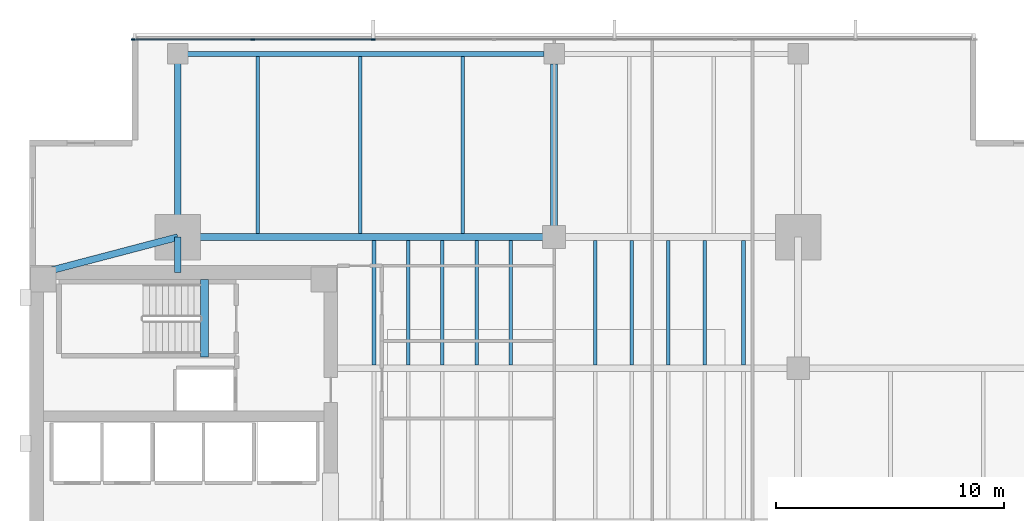
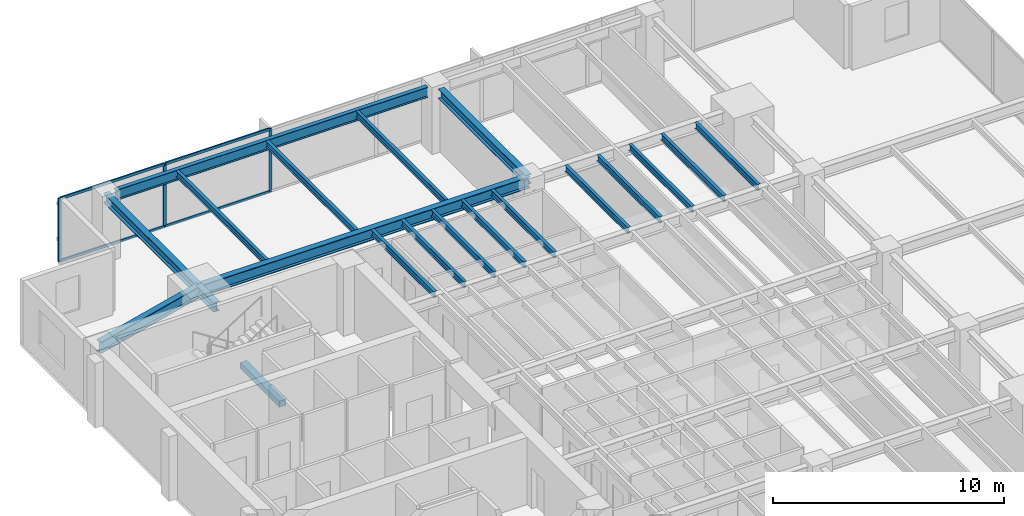
# One storey, part 5 of 14: 20 beams, 7 members, 1 element without a shape of its own.
"""IFC4 building model written with IfcOpenShell, lengths in metres."""

from ifc_helpers import new_model, si_unit, direction, frame, origin, origin_2d, place, context, subcontext, project, spatial, rectangle, i_section, extrude, material, layer, layer_set, material_profile, profile_set, type_object, element, aggregate, save


model = new_model("IFC4")

# Units and contexts
model_context = context("Model", 3, precision=1e-05, world=origin(), true_north=direction((0.0, 1.0)))
body_context = subcontext(model_context, "Body", "Model", "MODEL_VIEW")
ifc_project = project(units=[si_unit("LENGTHUNIT", "METRE"), si_unit("AREAUNIT", "SQUARE_METRE"), si_unit("VOLUMEUNIT", "CUBIC_METRE"), si_unit("PLANEANGLEUNIT", "RADIAN"), si_unit("MASSUNIT", "GRAM", prefix="KILO")], contexts=[model_context])

# Site, building, storey
site_placement = place(None, origin())
site = spatial("IfcSite", under=ifc_project, at=site_placement, CompositionType="ELEMENT")
building_placement = place(site_placement, origin())
building = spatial("IfcBuilding", under=site, at=building_placement, Name="Kinhvarn Gate Tower", CompositionType="ELEMENT")
storey_placement = place(building_placement, frame((0.0, 0.0, 130.64990234375)))
storey = spatial("IfcBuildingStorey", under=building, at=storey_placement, Name="L34", CompositionType="ELEMENT", Elevation=130.64990234375)

# Beam
ifc_material_1 = material(Name="Concrete C50/60", Category="concrete")
ifc_material_profile_1 = material_profile(ifc_material_1, rectangle(XDim=0.340087890625, YDim=0.320068359375, at=origin_2d()), Name="RC 340x320")
ifc_profile_set_1 = profile_set([ifc_material_profile_1], Name="Concrete C50/60")
beam_type_1 = type_object("IfcBeamType", Name="BM-LND-500", PredefinedType="BEAM", material=ifc_profile_set_1)
beam_1_placement = place(storey_placement, frame((12.1650390625, 32.5, -0.159912109375), z_axis=(0.0, 1.0, 0.0), x_axis=(-1.0, 0.0, 0.0)))
element("IfcBeam", 1, at=beam_1_placement, inside=storey, type_object=beam_type_1, Name="Stair ST2 Landing Nosing Beam (L34)", PredefinedType="BEAM", context=body_context, shape_type="SweptSolid", body=[
    extrude(rectangle(XDim=0.340087890625, YDim=0.320068359375, at=origin_2d()), origin(), (0.0, 0.0, 1.0), 3.39990234375),
])

# Curtain wall, members
ifc_material_2 = material(Name="Anodised aluminium AW-6063", Category="aluminium")
ifc_layer = layer(ifc_material_2, 0.179931640625)
ifc_layer_set = layer_set([ifc_layer], Name="Anodised aluminium AW-6063")
curtain_wall_type = type_object("IfcCurtainWallType", Name="CW-SYS-3", PredefinedType="NOTDEFINED", material=ifc_layer_set)
curtain_wall_placement = place(storey_placement, origin())
curtain_wall = element("IfcCurtainWall", 2, at=curtain_wall_placement, inside=storey, type_object=curtain_wall_type, Name="Curtain Wall CW3 (L34)", PredefinedType="NOTDEFINED")
ifc_material_profile_2 = material_profile(ifc_material_2, rectangle(XDim=0.06494140625, YDim=0.159912109375, at=origin_2d()), Name="ALU 65x160")
ifc_profile_set_2 = profile_set([ifc_material_profile_2], Name="Anodised aluminium AW-6063")
member_type_1 = type_object("IfcMemberType", Name="CW-MUL-160", PredefinedType="MULLION", material=ifc_profile_set_2)
member_1_placement = place(storey_placement, frame((19.571533203125, 46.409912109375, 0.0), z_axis=(0.0, 0.0, 1.0), x_axis=(0.0, -1.0, 0.0)))
member_1 = element("IfcMember", 3, at=member_1_placement, type_object=member_type_1, Name="CW3 mullion 6", PredefinedType="MULLION", context=body_context, shape_type="SweptSolid", body=[
    extrude(rectangle(XDim=0.06494140625, YDim=0.159912109375, at=origin_2d()), origin(), (0.0, 0.0, 1.0), 3.3701171875),
])
member_2_placement = place(storey_placement, frame((14.28564453125, 46.409912109375, 0.0), z_axis=(0.0, 0.0, 1.0), x_axis=(0.0, -1.0, 0.0)))
member_2 = element("IfcMember", 4, at=member_2_placement, type_object=member_type_1, Name="CW3 mullion 7", PredefinedType="MULLION", context=body_context, shape_type="SweptSolid", body=[
    extrude(rectangle(XDim=0.06494140625, YDim=0.159912109375, at=origin_2d()), origin(), (0.0, 0.0, 1.0), 3.3701171875),
])
member_3_placement = place(storey_placement, frame((9.032470703125, 46.409912109375, 0.0), z_axis=(0.0, 0.0, 1.0), x_axis=(0.0, -1.0, 0.0)))
member_3 = element("IfcMember", 5, at=member_3_placement, type_object=member_type_1, Name="CW3 mullion 8", PredefinedType="MULLION", context=body_context, shape_type="SweptSolid", body=[
    extrude(rectangle(XDim=0.06494140625, YDim=0.159912109375, at=origin_2d()), origin(), (0.0, 0.0, 1.0), 3.3701171875),
])
ifc_material_profile_3 = material_profile(ifc_material_2, rectangle(XDim=0.070068359375, YDim=0.139892578125, at=origin_2d()), Name="ALU 70x140")
ifc_profile_set_3 = profile_set([ifc_material_profile_3], Name="Anodised aluminium AW-6063")
member_type_2 = type_object("IfcMemberType", Name="CW-TRN-140", PredefinedType="USERDEFINED", material=ifc_profile_set_3)
member_4_placement = place(storey_placement, frame((19.538818359375, 46.409912109375, 0.03515625), z_axis=(-1.0, 0.0, 0.0), x_axis=(0.0, -1.0, 0.0)))
member_4 = element("IfcMember", 6, at=member_4_placement, type_object=member_type_2, Name="CW3 transom 6.1", ObjectType="TRANSOM", PredefinedType="USERDEFINED", context=body_context, shape_type="SweptSolid", body=[
    extrude(rectangle(XDim=0.070068359375, YDim=0.139892578125, at=origin_2d()), origin(), (0.0, 0.0, 1.0), 5.220703125),
])
member_5_placement = place(storey_placement, frame((19.538818359375, 46.409912109375, 3.335205078125), z_axis=(-1.0, 0.0, 0.0), x_axis=(0.0, -1.0, 0.0)))
member_5 = element("IfcMember", 7, at=member_5_placement, type_object=member_type_2, Name="CW3 transom 6.2", ObjectType="TRANSOM", PredefinedType="USERDEFINED", context=body_context, shape_type="SweptSolid", body=[
    extrude(rectangle(XDim=0.070068359375, YDim=0.139892578125, at=origin_2d()), origin(), (0.0, 0.0, 1.0), 5.220703125),
])
member_6_placement = place(storey_placement, frame((14.253173828125, 46.409912109375, 0.03515625), z_axis=(-1.0, 0.0, 0.0), x_axis=(0.0, -1.0, 0.0)))
member_6 = element("IfcMember", 8, at=member_6_placement, type_object=member_type_2, Name="CW3 transom 7.1", ObjectType="TRANSOM", PredefinedType="USERDEFINED", context=body_context, shape_type="SweptSolid", body=[
    extrude(rectangle(XDim=0.070068359375, YDim=0.139892578125, at=origin_2d()), origin(), (0.0, 0.0, 1.0), 5.188232421875),
])
member_7_placement = place(storey_placement, frame((14.253173828125, 46.409912109375, 3.335205078125), z_axis=(-1.0, 0.0, 0.0), x_axis=(0.0, -1.0, 0.0)))
member_7 = element("IfcMember", 9, at=member_7_placement, type_object=member_type_2, Name="CW3 transom 7.2", ObjectType="TRANSOM", PredefinedType="USERDEFINED", context=body_context, shape_type="SweptSolid", body=[
    extrude(rectangle(XDim=0.070068359375, YDim=0.139892578125, at=origin_2d()), origin(), (0.0, 0.0, 1.0), 5.188232421875),
])
aggregate(curtain_wall, [member_1, member_2, member_3, member_4, member_5, member_6, member_7])

# Beams
ifc_material_3 = material(Name="Steel S355", Category="steel")
ifc_material_profile_4 = material_profile(ifc_material_3, i_section(OverallWidth=0.300048828125, OverallDepth=0.5, WebThickness=0.014404296875, FlangeThickness=0.028076171875, at=origin_2d()), Name="HEB 500")
ifc_profile_set_4 = profile_set([ifc_material_profile_4], Name="Steel S355")
beam_type_2 = type_object("IfcBeamType", Name="STL-HEB500", PredefinedType="BEAM", material=ifc_profile_set_4)
beam_2_placement = place(storey_placement, frame((11.0, 36.199951171875, 3.1201171875), z_axis=(0.0, 1.0, 0.0), x_axis=(-1.0, 0.0, 0.0)))
element("IfcBeam", 10, at=beam_2_placement, inside=storey, type_object=beam_type_2, Name="Floor Beam PG-14 (L34 MCW-CN)", PredefinedType="BEAM", context=body_context, shape_type="SweptSolid", body=[
    extrude(i_section(OverallWidth=0.300048828125, OverallDepth=0.5, WebThickness=0.014404296875, FlangeThickness=0.028076171875, at=origin_2d()), origin(), (0.0, 0.0, 1.0), 1.550048828125),
])
beam_3_placement = place(storey_placement, frame((11.0, 37.75, 3.1201171875), z_axis=(0.0, 1.0, 0.0), x_axis=(-1.0, 0.0, 0.0)))
element("IfcBeam", 11, at=beam_3_placement, inside=storey, type_object=beam_type_2, Name="Floor Beam PG-14 (L34 MCW-N)", PredefinedType="BEAM", context=body_context, shape_type="SweptSolid", body=[
    extrude(i_section(OverallWidth=0.300048828125, OverallDepth=0.5, WebThickness=0.014404296875, FlangeThickness=0.028076171875, at=origin_2d()), origin(), (0.0, 0.0, 1.0), 8.030029296875),
])
beam_4_placement = place(storey_placement, frame((27.5, 37.75, 3.1201171875), z_axis=(0.0, 1.0, 0.0), x_axis=(-1.0, 0.0, 0.0)))
element("IfcBeam", 12, at=beam_4_placement, inside=storey, type_object=beam_type_2, Name="Floor Beam PG-14 (L34 SP27-N-TIE)", PredefinedType="BEAM", context=body_context, shape_type="SweptSolid", body=[
    extrude(i_section(OverallWidth=0.300048828125, OverallDepth=0.5, WebThickness=0.014404296875, FlangeThickness=0.028076171875, at=origin_2d()), origin(), (0.0, 0.0, 1.0), 7.594970703125),
])
ifc_material_profile_5 = material_profile(ifc_material_3, i_section(OverallWidth=0.300048828125, OverallDepth=0.60009765625, WebThickness=0.015380859375, FlangeThickness=0.030029296875, at=origin_2d()), Name="HEB 600")
ifc_profile_set_5 = profile_set([ifc_material_profile_5], Name="Steel S355")
beam_type_3 = type_object("IfcBeamType", Name="STL-HEB600", PredefinedType="BEAM", material=ifc_profile_set_5)
beam_5_placement = place(storey_placement, frame((11.0, 37.75, 3.070068359375), z_axis=(1.0, 0.0, 0.0), x_axis=(0.0, 1.0, 0.0)))
element("IfcBeam", 13, at=beam_5_placement, inside=storey, type_object=beam_type_3, Name="Floor Beam PG-16 (L34 MG-N1)", PredefinedType="BEAM", context=body_context, shape_type="SweptSolid", body=[
    extrude(i_section(OverallWidth=0.300048828125, OverallDepth=0.60009765625, WebThickness=0.015380859375, FlangeThickness=0.030029296875, at=origin_2d()), origin(), (0.0, 0.0, 1.0), 16.5),
])
beam_6_placement = place(storey_placement, frame((5.10009765625, 36.199951171875, 3.070068359375), z_axis=(0.967177623957, 0.254101246979, 0.0), x_axis=(-0.254101246979, 0.967177623957, 0.0)))
element("IfcBeam", 14, at=beam_6_placement, inside=storey, type_object=beam_type_3, Name="Floor Beam PG-16 (L34 MG-NW-DIAG)", PredefinedType="BEAM", context=body_context, shape_type="SweptSolid", body=[
    extrude(i_section(OverallWidth=0.300048828125, OverallDepth=0.60009765625, WebThickness=0.015380859375, FlangeThickness=0.030029296875, at=origin_2d()), origin(), (0.0, 0.0, 1.0), 6.10009765625),
])
ifc_material_profile_6 = material_profile(ifc_material_3, i_section(OverallWidth=0.159912109375, OverallDepth=0.330078125, WebThickness=0.007568359375, FlangeThickness=0.011474609375, at=origin_2d()), Name="IPE 330")
ifc_profile_set_6 = profile_set([ifc_material_profile_6], Name="Steel S355")
beam_type_4 = type_object("IfcBeamType", Name="STL-IPE330", PredefinedType="JOIST", material=ifc_profile_set_6)
for number, where, z_axis, x_axis, name in (
    (15, (19.60009765625, 32.14990234375, 3.205078125), (0.0, 1.0, 0.0), (-1.0, 0.0, 0.0), "Floor Joist SB-03 (L34 JC-X196-3)"),
    (16, (21.10009765625, 32.14990234375, 3.205078125), (0.0, 1.0, 0.0), (-1.0, 0.0, 0.0), "Floor Joist SB-03 (L34 JC-X211-3)"),
    (17, (22.60009765625, 32.14990234375, 3.205078125), (0.0, 1.0, 0.0), (-1.0, 0.0, 0.0), "Floor Joist SB-03 (L34 JC-X226-3)"),
    (18, (24.10009765625, 32.14990234375, 3.205078125), (0.0, 1.0, 0.0), (-1.0, 0.0, 0.0), "Floor Joist SB-03 (L34 JC-X241-3)"),
    (19, (25.60009765625, 32.14990234375, 3.205078125), (0.0, 1.0, 0.0), (-1.0, 0.0, 0.0), "Floor Joist SB-03 (L34 JC-X256-3)"),
    (20, (29.300048828125, 32.14990234375, 3.205078125), (0.0, 1.0, 0.0), (-1.0, 0.0, 0.0), "Floor Joist SB-03 (L34 JC-X293-3)"),
    (21, (30.89990234375, 32.14990234375, 3.205078125), (0.0, 1.0, 0.0), (-1.0, 0.0, 0.0), "Floor Joist SB-03 (L34 JC-X309-3)"),
    (22, (32.5, 32.14990234375, 3.205078125), (0.0, 1.0, 0.0), (-1.0, 0.0, 0.0), "Floor Joist SB-03 (L34 JC-X325-3)"),
    (23, (34.10009765625, 32.14990234375, 3.205078125), (0.0, 1.0, 0.0), (-1.0, 0.0, 0.0), "Floor Joist SB-03 (L34 JC-X341-3)"),
    (24, (35.800048828125, 32.14990234375, 3.205078125), (0.0, 1.0, 0.0), (-1.0, 0.0, 0.0), "Floor Joist SB-03 (L34 JC-X358-3)"),
):
    element("IfcBeam", number, at=place(storey_placement, frame(where, z_axis=z_axis, x_axis=x_axis)), inside=storey, type_object=beam_type_4, Name=name, PredefinedType="JOIST", context=body_context, shape_type="SweptSolid", body=[
        extrude(i_section(OverallWidth=0.159912109375, OverallDepth=0.330078125, WebThickness=0.007568359375, FlangeThickness=0.011474609375, at=origin_2d()), origin(), (0.0, 0.0, 1.0), 5.4501953125),
    ])
for number, where, z_axis, x_axis, name in (
    (25, (14.5, 37.89990234375, 3.205078125), (0.0, 1.0, 0.0), (-1.0, 0.0, 0.0), "Floor Joist SB-03 (L34 JN-X145)"),
    (26, (19.0, 37.89990234375, 3.205078125), (0.0, 1.0, 0.0), (-1.0, 0.0, 0.0), "Floor Joist SB-03 (L34 JN-X190)"),
    (27, (23.5, 37.89990234375, 3.205078125), (0.0, 1.0, 0.0), (-1.0, 0.0, 0.0), "Floor Joist SB-03 (L34 JN-X235)"),
):
    element("IfcBeam", number, at=place(storey_placement, frame(where, z_axis=z_axis, x_axis=x_axis)), inside=storey, type_object=beam_type_4, Name=name, PredefinedType="JOIST", context=body_context, shape_type="SweptSolid", body=[
        extrude(i_section(OverallWidth=0.159912109375, OverallDepth=0.330078125, WebThickness=0.007568359375, FlangeThickness=0.011474609375, at=origin_2d()), origin(), (0.0, 0.0, 1.0), 7.775146484375),
    ])
ifc_material_profile_7 = material_profile(ifc_material_3, i_section(OverallWidth=0.2099609375, OverallDepth=0.550048828125, WebThickness=0.010986328125, FlangeThickness=0.01708984375, at=origin_2d()), Name="IPE 550")
ifc_profile_set_7 = profile_set([ifc_material_profile_7], Name="Steel S355")
beam_type_5 = type_object("IfcBeamType", Name="STL-IPE550", PredefinedType="SPANDREL", material=ifc_profile_set_7)
beam_7_placement = place(storey_placement, frame((11.43505859375, 45.780029296875, 3.09521484375), z_axis=(1.0, 0.0, 0.0), x_axis=(0.0, 1.0, 0.0)))
element("IfcBeam", 28, at=beam_7_placement, inside=storey, type_object=beam_type_5, Name="Floor Spandrel SB-08 (L34 SP-N1)", PredefinedType="SPANDREL", context=body_context, shape_type="SweptSolid", body=[
    extrude(i_section(OverallWidth=0.2099609375, OverallDepth=0.550048828125, WebThickness=0.010986328125, FlangeThickness=0.01708984375, at=origin_2d()), origin(), (0.0, 0.0, 1.0), 15.6298828125),
])

save(model, "model.ifc")
